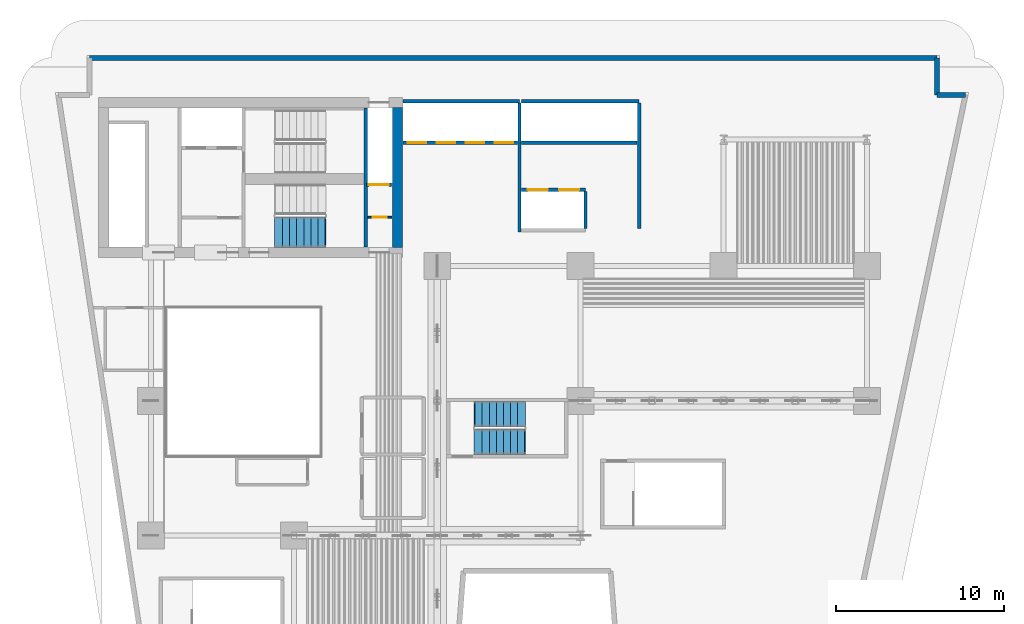
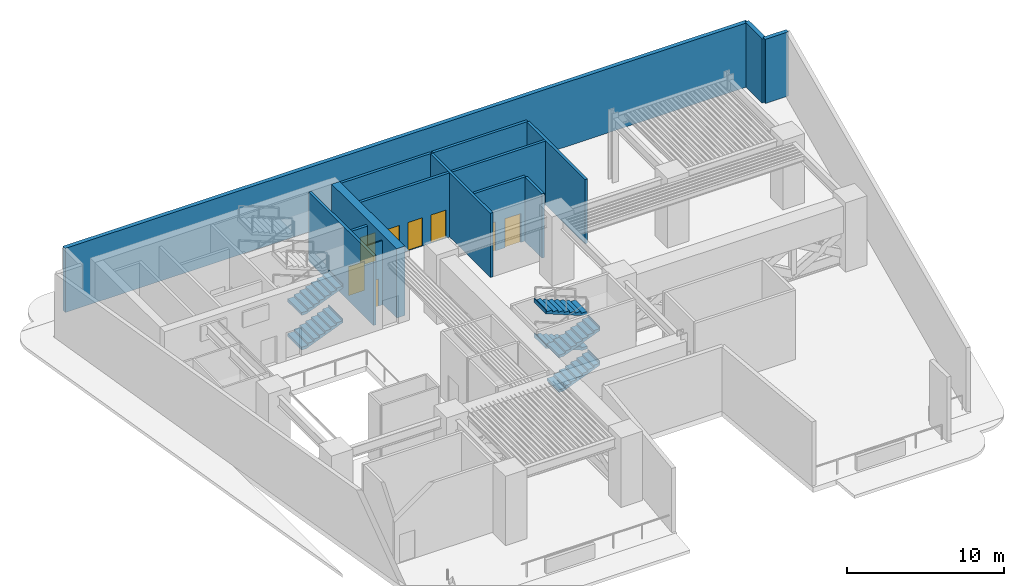
# One storey, part 5 of 9: 15 walls, 8 doors, 6 stair flights, 8 openings, 2 elements without a shape of their own.
"""IFC4 building model written with IfcOpenShell, lengths in metres."""

from ifc_helpers import new_model, si_unit, direction, frame, frame_2d, origin, place, context, subcontext, project, spatial, polyline, rectangle, outline, extrude, material, layer, layer_set, type_object, element, fill, aggregate, save


model = new_model("IFC4")

# Units and contexts
model_context = context("Model", 3, precision=1e-05, world=origin(), true_north=direction((0.0, 1.0)))
body_context = subcontext(model_context, "Body", "Model", "MODEL_VIEW")
ifc_project = project(units=[si_unit("LENGTHUNIT", "METRE"), si_unit("AREAUNIT", "SQUARE_METRE"), si_unit("VOLUMEUNIT", "CUBIC_METRE"), si_unit("PLANEANGLEUNIT", "RADIAN"), si_unit("MASSUNIT", "GRAM", prefix="KILO")], contexts=[model_context])

# Site, building, storey
site_placement = place(None, origin())
site = spatial("IfcSite", under=ifc_project, at=site_placement, CompositionType="ELEMENT")
building_placement = place(site_placement, origin())
building = spatial("IfcBuilding", under=site, at=building_placement, Name="Caeloran Harvest Quay", CompositionType="ELEMENT")
storey_placement = place(building_placement, frame((0.0, 0.0, 21.60009765625)))
storey = spatial("IfcBuildingStorey", under=building, at=storey_placement, Name="L05", CompositionType="ELEMENT", Elevation=21.60009765625)

# Walls
ifc_material_1 = material(Name="Precast concrete C50/60", Category="concrete")
ifc_layer_1 = layer(ifc_material_1, 0.300048828125, Name="Precast concrete C50/60")
ifc_layer_set_1 = layer_set([ifc_layer_1], Name="Precast concrete C50/60")
wall_type_1 = type_object("IfcWallType", Name="ENV-WALL-EW-300", PredefinedType="STANDARD", material=ifc_layer_set_1)
wall_1_placement = place(storey_placement, frame((4.85009765625, 43.35009765625, 0.0), z_axis=(0.0, 0.0, 1.0), x_axis=(1.0, 0.0, 0.0)))
element("IfcWall", 1, at=wall_1_placement, inside=storey, type_object=wall_type_1, Name="L05 Exterior Precast Concrete Facade Wall 6", PredefinedType="STANDARD", context=body_context, shape_type="SweptSolid", body=[
    extrude(rectangle(XDim=50.2998046875, YDim=0.300048828125, at=frame_2d((25.14990234375, 0.0))), origin(), (0.0, 0.0, 1.0), 5.0),
])
wall_2_placement = place(storey_placement, frame((55.14990234375, 43.35009765625, 0.0), z_axis=(0.0, 0.0, 1.0), x_axis=(0.0, -1.0, 0.0)))
element("IfcWall", 2, at=wall_2_placement, inside=storey, type_object=wall_type_1, Name="L05 Exterior Precast Concrete Facade Wall 7", PredefinedType="STANDARD", context=body_context, shape_type="SweptSolid", body=[
    extrude(rectangle(XDim=2.2001953125, YDim=0.300048828125, at=frame_2d((1.10009765625, 0.0))), origin(), (0.0, 0.0, 1.0), 5.0),
])
wall_3_placement = place(storey_placement, frame((55.14990234375, 41.14990234375, 0.0), z_axis=(0.0, 0.0, 1.0), x_axis=(1.0, 0.0, 0.0)))
element("IfcWall", 3, at=wall_3_placement, inside=storey, type_object=wall_type_1, Name="L05 Exterior Precast Concrete Facade Wall 8", PredefinedType="STANDARD", context=body_context, shape_type="SweptSolid", body=[
    extrude(rectangle(XDim=1.703125, YDim=0.300048828125, at=frame_2d((0.8515625, 0.0))), origin(), (0.0, 0.0, 1.0), 5.0),
])

# Wall, opening, door
ifc_material_2 = material(Name="Fire-Resisting Gypsum Core Riser Partition", Category="gypsum")
ifc_layer_2 = layer(ifc_material_2, 0.10009765625, Name="Fire-Resisting Gypsum Core Riser Partition")
ifc_layer_set_2 = layer_set([ifc_layer_2], Name="Fire-Resisting Gypsum Core Riser Partition")
wall_type_2 = type_object("IfcWallType", Name="INT-WALL-PW-100", PredefinedType="PARTITIONING", material=ifc_layer_set_2)
wall_4_placement = place(storey_placement, frame((21.3798828125, 33.889892578125, 0.0), z_axis=(0.0, 0.0, 1.0), x_axis=(1.0, 0.0, 0.0)))
wall_4 = element("IfcWall", 4, at=wall_4_placement, inside=storey, type_object=wall_type_2, Name="L05 Cleaner Store Partition Wall", PredefinedType="PARTITIONING", context=body_context, shape_type="SweptSolid", body=[
    extrude(rectangle(XDim=1.420166015625, YDim=0.10009765625, at=frame_2d((0.7099609375, 0.0))), origin(), (0.0, 0.0, 1.0), 5.0),
])
opening_1_placement = place(wall_4_placement, frame((0.280029296875, 0.0, 0.0)))
opening_1 = element("IfcOpeningElement", 5, at=opening_1_placement, cuts=wall_4, Name="Opening SV-01", PredefinedType="OPENING", context=body_context, shape_type="SweptSolid", body=[
    extrude(rectangle(XDim=0.85009765625, YDim=2.10009765625, at=frame_2d((0.425048828125, 1.050048828125))), frame((0.0, 0.06005859375, 0.0), z_axis=(0.0, -1.0, 0.0), x_axis=(1.0, 0.0, 0.0)), (0.0, 0.0, 1.0), 0.1201171875),
])
ifc_material_3 = material(Name="Galvanized Painted Steel", Category="steel")
door_type_1 = type_object("IfcDoorType", Name="INTDOOR-SV-01", OperationType="NOTDEFINED", PredefinedType="DOOR", material=ifc_material_3)
door_1_placement = place(opening_1_placement, origin())
door_1 = element("IfcDoor", 6, at=door_1_placement, inside=storey, type_object=door_type_1, Name="L05 Cleaner Supply Store Access Door", OperationType="SINGLE_SWING_RIGHT", OverallHeight=2.10009765625, OverallWidth=0.85009765625, PredefinedType="DOOR", context=body_context, shape_type="SweptSolid", body=[
    extrude(rectangle(XDim=0.85009765625, YDim=2.10009765625, at=frame_2d((0.425048828125, 1.050048828125))), frame((0.0, 0.02490234375, 0.0), z_axis=(0.0, -1.0, 0.0), x_axis=(1.0, 0.0, 0.0)), (0.0, 0.0, 1.0), 0.050048828125),
])
fill(opening_1, door_1)

ifc_material_4 = material(Name="Concrete C50/60", Category="concrete")
ifc_layer_3 = layer(ifc_material_4, 0.199951171875, Name="Concrete C50/60")
ifc_layer_set_3 = layer_set([ifc_layer_3], Name="Concrete C50/60")
wall_type_3 = type_object("IfcWallType", Name="INT-WALL-SW-200", PredefinedType="PARTITIONING", material=ifc_layer_set_3)
wall_5_placement = place(storey_placement, frame((21.300048828125, 35.820068359375, 0.0), z_axis=(0.0, 0.0, 1.0), x_axis=(1.0, 0.0, 0.0)))
wall_5 = element("IfcWall", 7, at=wall_5_placement, inside=storey, type_object=wall_type_3, Name="L05 Service Lift SV-2 Shaft Wall", PredefinedType="PARTITIONING", context=body_context, shape_type="SweptSolid", body=[
    extrude(rectangle(XDim=1.5, YDim=0.199951171875, at=frame_2d((0.75, 0.0))), origin(), (0.0, 0.0, 1.0), 5.0),
])
opening_2_placement = place(wall_5_placement, frame((0.14501953125, 0.0, 0.0)))
opening_2 = element("IfcOpeningElement", 8, at=opening_2_placement, cuts=wall_5, Name="Opening LD-02", PredefinedType="OPENING", context=body_context, shape_type="SweptSolid", body=[
    extrude(rectangle(XDim=1.179931640625, YDim=2.25, at=frame_2d((0.58984375, 1.125))), frame((0.0, 0.10986328125, 0.0), z_axis=(0.0, -1.0, 0.0), x_axis=(1.0, 0.0, 0.0)), (0.0, 0.0, 1.0), 0.219970703125),
])
ifc_material_5 = material(Name="Stainless Steel Grade 316", Category="steel")
door_type_2 = type_object("IfcDoorType", Name="INTDOOR-LD-02", OperationType="NOTDEFINED", PredefinedType="DOOR", material=ifc_material_5)
door_2_placement = place(opening_2_placement, origin())
door_2 = element("IfcDoor", 9, at=door_2_placement, inside=storey, type_object=door_type_2, Name="Lift SV-2 Sliding Landing Door (L05)", OperationType="DOUBLE_DOOR_SLIDING", OverallHeight=2.25, OverallWidth=1.179931640625, PredefinedType="DOOR", context=body_context, shape_type="SweptSolid", body=[
    extrude(rectangle(XDim=1.179931640625, YDim=2.25, at=frame_2d((0.58984375, 1.125))), frame((0.0, 0.02490234375, 0.0), z_axis=(0.0, -1.0, 0.0), x_axis=(1.0, 0.0, 0.0)), (0.0, 0.0, 1.0), 0.050048828125),
])
fill(opening_2, door_2)

# Walls
wall_6_placement = place(storey_placement, frame((23.469970703125, 40.780029296875, 0.0), z_axis=(0.0, 0.0, 1.0), x_axis=(1.0, 0.0, 0.0)))
element("IfcWall", 10, at=wall_6_placement, inside=storey, type_object=wall_type_3, Name="L05 Bank 1 Lift Shaft North Wall", PredefinedType="PARTITIONING", context=body_context, shape_type="SweptSolid", body=[
    extrude(rectangle(XDim=6.909912109375, YDim=0.199951171875, at=frame_2d((3.455078125, 0.0))), origin(), (0.0, 0.0, 1.0), 5.0),
])
wall_7_placement = place(storey_placement, frame((30.3798828125, 33.02001953125, 0.0), z_axis=(0.0, 0.0, 1.0), x_axis=(0.0, 1.0, 0.0)))
element("IfcWall", 11, at=wall_7_placement, inside=storey, type_object=wall_type_3, Name="L05 Bank 1 Lift Shaft East Wall", PredefinedType="PARTITIONING", context=body_context, shape_type="SweptSolid", body=[
    extrude(rectangle(XDim=7.639892578125, YDim=0.199951171875, at=frame_2d((3.81982421875, 0.0))), origin(), (0.0, 0.0, 1.0), 5.0),
])

# Wall, openings, doors
wall_8_placement = place(storey_placement, frame((23.469970703125, 38.320068359375, 0.0), z_axis=(0.0, 0.0, 1.0), x_axis=(1.0, 0.0, 0.0)))
wall_8 = element("IfcWall", 12, at=wall_8_placement, inside=storey, type_object=wall_type_3, Name="L05 Bank 1 Lift Landing Front Wall", PredefinedType="PARTITIONING", context=body_context, shape_type="SweptSolid", body=[
    extrude(rectangle(XDim=6.7900390625, YDim=0.199951171875, at=frame_2d((3.39501953125, 0.0))), origin(), (0.0, 0.0, 1.0), 5.0),
])
opening_3_placement = place(wall_8_placement, frame((0.2900390625, 0.0, 0.0)))
opening_3 = element("IfcOpeningElement", 13, at=opening_3_placement, cuts=wall_8, Name="Opening LD-01", PredefinedType="OPENING", context=body_context, shape_type="SweptSolid", body=[
    extrude(rectangle(XDim=1.10009765625, YDim=2.199951171875, at=frame_2d((0.550048828125, 1.10009765625))), frame((0.0, 0.10986328125, 0.0), z_axis=(0.0, -1.0, 0.0), x_axis=(1.0, 0.0, 0.0)), (0.0, 0.0, 1.0), 0.219970703125),
])
opening_4_placement = place(wall_8_placement, frame((2.010009765625, 0.0, 0.0)))
opening_4 = element("IfcOpeningElement", 14, at=opening_4_placement, cuts=wall_8, Name="Opening LD-01", PredefinedType="OPENING", context=body_context, shape_type="SweptSolid", body=[
    extrude(rectangle(XDim=1.10009765625, YDim=2.199951171875, at=frame_2d((0.550048828125, 1.10009765625))), frame((0.0, 0.10986328125, 0.0), z_axis=(0.0, -1.0, 0.0), x_axis=(1.0, 0.0, 0.0)), (0.0, 0.0, 1.0), 0.219970703125),
])
opening_5_placement = place(wall_8_placement, frame((3.72998046875, 0.0, 0.0)))
opening_5 = element("IfcOpeningElement", 15, at=opening_5_placement, cuts=wall_8, Name="Opening LD-01", PredefinedType="OPENING", context=body_context, shape_type="SweptSolid", body=[
    extrude(rectangle(XDim=1.10009765625, YDim=2.199951171875, at=frame_2d((0.550048828125, 1.10009765625))), frame((0.0, 0.10986328125, 0.0), z_axis=(0.0, -1.0, 0.0), x_axis=(1.0, 0.0, 0.0)), (0.0, 0.0, 1.0), 0.219970703125),
])
opening_6_placement = place(wall_8_placement, frame((5.449951171875, 0.0, 0.0)))
opening_6 = element("IfcOpeningElement", 16, at=opening_6_placement, cuts=wall_8, Name="Opening LD-01", PredefinedType="OPENING", context=body_context, shape_type="SweptSolid", body=[
    extrude(rectangle(XDim=1.10009765625, YDim=2.199951171875, at=frame_2d((0.550048828125, 1.10009765625))), frame((0.0, 0.10986328125, 0.0), z_axis=(0.0, -1.0, 0.0), x_axis=(1.0, 0.0, 0.0)), (0.0, 0.0, 1.0), 0.219970703125),
])
door_type_3 = type_object("IfcDoorType", Name="INTDOOR-LD-01", OperationType="NOTDEFINED", PredefinedType="DOOR", material=ifc_material_5)
door_3_placement = place(opening_3_placement, origin())
door_3 = element("IfcDoor", 17, at=door_3_placement, inside=storey, type_object=door_type_3, Name="Lift P1-1 Sliding Landing Door (L05)", OperationType="DOUBLE_DOOR_SLIDING", OverallHeight=2.199951171875, OverallWidth=1.10009765625, PredefinedType="DOOR", context=body_context, shape_type="SweptSolid", body=[
    extrude(rectangle(XDim=1.10009765625, YDim=2.199951171875, at=frame_2d((0.550048828125, 1.10009765625))), frame((0.0, 0.02490234375, 0.0), z_axis=(0.0, -1.0, 0.0), x_axis=(1.0, 0.0, 0.0)), (0.0, 0.0, 1.0), 0.050048828125),
])
fill(opening_3, door_3)
door_4_placement = place(opening_4_placement, origin())
door_4 = element("IfcDoor", 18, at=door_4_placement, inside=storey, type_object=door_type_3, Name="Lift P1-2 Sliding Landing Door (L05)", OperationType="DOUBLE_DOOR_SLIDING", OverallHeight=2.199951171875, OverallWidth=1.10009765625, PredefinedType="DOOR", context=body_context, shape_type="SweptSolid", body=[
    extrude(rectangle(XDim=1.10009765625, YDim=2.199951171875, at=frame_2d((0.550048828125, 1.10009765625))), frame((0.0, 0.02490234375, 0.0), z_axis=(0.0, -1.0, 0.0), x_axis=(1.0, 0.0, 0.0)), (0.0, 0.0, 1.0), 0.050048828125),
])
fill(opening_4, door_4)
door_5_placement = place(opening_5_placement, origin())
door_5 = element("IfcDoor", 19, at=door_5_placement, inside=storey, type_object=door_type_3, Name="Lift P1-3 Sliding Landing Door (L05)", OperationType="DOUBLE_DOOR_SLIDING", OverallHeight=2.199951171875, OverallWidth=1.10009765625, PredefinedType="DOOR", context=body_context, shape_type="SweptSolid", body=[
    extrude(rectangle(XDim=1.10009765625, YDim=2.199951171875, at=frame_2d((0.550048828125, 1.10009765625))), frame((0.0, 0.02490234375, 0.0), z_axis=(0.0, -1.0, 0.0), x_axis=(1.0, 0.0, 0.0)), (0.0, 0.0, 1.0), 0.050048828125),
])
fill(opening_5, door_5)
door_6_placement = place(opening_6_placement, origin())
door_6 = element("IfcDoor", 20, at=door_6_placement, inside=storey, type_object=door_type_3, Name="Lift P1-4 Sliding Landing Door (L05)", OperationType="DOUBLE_DOOR_SLIDING", OverallHeight=2.199951171875, OverallWidth=1.10009765625, PredefinedType="DOOR", context=body_context, shape_type="SweptSolid", body=[
    extrude(rectangle(XDim=1.10009765625, YDim=2.199951171875, at=frame_2d((0.550048828125, 1.10009765625))), frame((0.0, 0.02490234375, 0.0), z_axis=(0.0, -1.0, 0.0), x_axis=(1.0, 0.0, 0.0)), (0.0, 0.0, 1.0), 0.050048828125),
])
fill(opening_6, door_6)

# Walls
wall_9_placement = place(storey_placement, frame((30.5, 40.780029296875, 0.0), z_axis=(0.0, 0.0, 1.0), x_axis=(1.0, 0.0, 0.0)))
element("IfcWall", 21, at=wall_9_placement, inside=storey, type_object=wall_type_3, Name="L05 Bank 2 Lift Shaft North Wall", PredefinedType="PARTITIONING", context=body_context, shape_type="SweptSolid", body=[
    extrude(rectangle(XDim=6.97998046875, YDim=0.199951171875, at=frame_2d((3.489990234375, 0.0))), origin(), (0.0, 0.0, 1.0), 5.0),
])
wall_10_placement = place(storey_placement, frame((37.47998046875, 33.239990234375, 0.0), z_axis=(0.0, 0.0, 1.0), x_axis=(0.0, 1.0, 0.0)))
element("IfcWall", 22, at=wall_10_placement, inside=storey, type_object=wall_type_3, Name="L05 Bank 2 Lift Shaft East Wall", PredefinedType="PARTITIONING", context=body_context, shape_type="SweptSolid", body=[
    extrude(rectangle(XDim=7.419921875, YDim=0.199951171875, at=frame_2d((3.7099609375, 0.0))), origin(), (0.0, 0.0, 1.0), 5.0),
])
wall_11_placement = place(storey_placement, frame((30.5, 38.320068359375, 0.0), z_axis=(0.0, 0.0, 1.0), x_axis=(1.0, 0.0, 0.0)))
element("IfcWall", 23, at=wall_11_placement, inside=storey, type_object=wall_type_3, Name="L05 Bank 2 Lift Landing Front Wall", PredefinedType="PARTITIONING", context=body_context, shape_type="SweptSolid", body=[
    extrude(rectangle(XDim=6.860107421875, YDim=0.199951171875, at=frame_2d((3.43017578125, 0.0))), origin(), (0.0, 0.0, 1.0), 5.0),
])

# Wall, openings, doors
wall_12_placement = place(storey_placement, frame((30.5, 35.530029296875, 0.0), z_axis=(0.0, 0.0, 1.0), x_axis=(1.0, 0.0, 0.0)))
wall_12 = element("IfcWall", 24, at=wall_12_placement, inside=storey, type_object=wall_type_3, Name="L05 Shuttle Lift Landing Front Wall", PredefinedType="PARTITIONING", context=body_context, shape_type="SweptSolid", body=[
    extrude(rectangle(XDim=3.800048828125, YDim=0.199951171875, at=frame_2d((1.89990234375, 0.0))), origin(), (0.0, 0.0, 1.0), 5.0),
])
opening_7_placement = place(wall_12_placement, frame((0.385009765625, 0.0, 0.0)))
opening_7 = element("IfcOpeningElement", 25, at=opening_7_placement, cuts=wall_12, Name="Opening LD-02", PredefinedType="OPENING", context=body_context, shape_type="SweptSolid", body=[
    extrude(rectangle(XDim=1.179931640625, YDim=2.25, at=frame_2d((0.58984375, 1.125))), frame((0.0, 0.10986328125, 0.0), z_axis=(0.0, -1.0, 0.0), x_axis=(1.0, 0.0, 0.0)), (0.0, 0.0, 1.0), 0.219970703125),
])
opening_8_placement = place(wall_12_placement, frame((2.235107421875, 0.0, 0.0)))
opening_8 = element("IfcOpeningElement", 26, at=opening_8_placement, cuts=wall_12, Name="Opening LD-02", PredefinedType="OPENING", context=body_context, shape_type="SweptSolid", body=[
    extrude(rectangle(XDim=1.179931640625, YDim=2.25, at=frame_2d((0.58984375, 1.125))), frame((0.0, 0.10986328125, 0.0), z_axis=(0.0, -1.0, 0.0), x_axis=(1.0, 0.0, 0.0)), (0.0, 0.0, 1.0), 0.219970703125),
])
door_7_placement = place(opening_7_placement, origin())
door_7 = element("IfcDoor", 27, at=door_7_placement, inside=storey, type_object=door_type_2, Name="Lift SH-1 Sliding Landing Door (L05)", OperationType="DOUBLE_DOOR_SLIDING", OverallHeight=2.25, OverallWidth=1.179931640625, PredefinedType="DOOR", context=body_context, shape_type="SweptSolid", body=[
    extrude(rectangle(XDim=1.179931640625, YDim=2.25, at=frame_2d((0.58984375, 1.125))), frame((0.0, 0.02490234375, 0.0), z_axis=(0.0, -1.0, 0.0), x_axis=(1.0, 0.0, 0.0)), (0.0, 0.0, 1.0), 0.050048828125),
])
fill(opening_7, door_7)
door_8_placement = place(opening_8_placement, origin())
door_8 = element("IfcDoor", 28, at=door_8_placement, inside=storey, type_object=door_type_2, Name="Lift SH-2 Sliding Landing Door (L05)", OperationType="DOUBLE_DOOR_SLIDING", OverallHeight=2.25, OverallWidth=1.179931640625, PredefinedType="DOOR", context=body_context, shape_type="SweptSolid", body=[
    extrude(rectangle(XDim=1.179931640625, YDim=2.25, at=frame_2d((0.58984375, 1.125))), frame((0.0, 0.02490234375, 0.0), z_axis=(0.0, -1.0, 0.0), x_axis=(1.0, 0.0, 0.0)), (0.0, 0.0, 1.0), 0.050048828125),
])
fill(opening_8, door_8)

# Walls
wall_13_placement = place(storey_placement, frame((34.300048828125, 33.239990234375, 0.0), z_axis=(0.0, 0.0, 1.0), x_axis=(0.0, 1.0, 0.0)))
element("IfcWall", 29, at=wall_13_placement, inside=storey, type_object=wall_type_3, Name="L05 Shuttle Lift Shaft East Wall", PredefinedType="PARTITIONING", context=body_context, shape_type="SweptSolid", body=[
    extrude(rectangle(XDim=2.169921875, YDim=0.199951171875, at=frame_2d((1.0849609375, 0.0))), origin(), (0.0, 0.0, 1.0), 5.0),
])
ifc_material_6 = material(Name="Concrete C80/95", Category="concrete")
ifc_layer_4 = layer(ifc_material_6, 0.60009765625, Name="Concrete C80/95")
ifc_layer_set_4 = layer_set([ifc_layer_4], Name="Concrete C80/95")
wall_type_4 = type_object("IfcWallType", Name="STR-WALL-CW-600", PredefinedType="SHEAR", material=ifc_layer_set_4)
wall_14_placement = place(storey_placement, frame((23.14990234375, 32.10009765625, 0.0), z_axis=(0.0, 0.0, 1.0), x_axis=(0.0, 1.0, 0.0)))
element("IfcWall", 30, at=wall_14_placement, inside=storey, type_object=wall_type_4, Name="L05 Rear Core Shear Wall E", PredefinedType="SHEAR", context=body_context, shape_type="SweptSolid", body=[
    extrude(rectangle(XDim=8.2998046875, YDim=0.60009765625, at=frame_2d((4.14990234375, 0.0))), origin(), (0.0, 0.0, 1.0), 5.39990234375),
])
ifc_material_7 = material(Name="Concrete C60/75", Category="concrete")
ifc_layer_5 = layer(ifc_material_7, 0.199951171875, Name="Concrete C60/75")
ifc_layer_set_5 = layer_set([ifc_layer_5], Name="Concrete C60/75")
wall_type_5 = type_object("IfcWallType", Name="STR-WALL-SW-200", PredefinedType="SHEAR", material=ifc_layer_set_5)
wall_15_placement = place(storey_placement, frame((21.25, 32.1201171875, 0.0), z_axis=(0.0, 0.0, 1.0), x_axis=(0.0, 1.0, 0.0)))
element("IfcWall", 31, at=wall_15_placement, inside=storey, type_object=wall_type_5, Name="L05 Core Stair Shaft East Shear Wall", PredefinedType="SHEAR", context=body_context, shape_type="SweptSolid", body=[
    extrude(rectangle(XDim=8.259765625, YDim=0.199951171875, at=frame_2d((4.1298828125, 0.0))), origin(), (0.0, 0.0, 1.0), 5.39990234375),
])

# Stair, stair flights
stair_type_1 = type_object("IfcStairType", Name="STAIR-STC-180", PredefinedType="HALF_TURN_STAIR", material=ifc_material_4)
stair_1_placement = place(storey_placement, origin())
stair_1 = element("IfcStair", 32, at=stair_1_placement, inside=storey, type_object=stair_type_1, Name="L05 Core Pressurized Exit Stair ST-C2", PredefinedType="HALF_TURN_STAIR")
stair_flight_type_1 = type_object("IfcStairFlightType", Name="FLIGHT-STC-180", PredefinedType="STRAIGHT", material=ifc_material_4)
stair_flight_1_placement = place(storey_placement, frame((15.89990234375, 33.0, 0.0), z_axis=(0.0, 0.0, 1.0), x_axis=(1.0, 0.0, 0.0)))
stair_flight_1 = element("IfcStairFlight", 33, at=stair_flight_1_placement, type_object=stair_flight_type_1, Name="ST-C2 flight 1", NumberOfRisers=8, NumberOfTreads=7, PredefinedType="STRAIGHT", RiserHeight=0.16875, TreadLength=0.42, context=body_context, shape_type="SweptSolid", body=[
    extrude(outline(polyline([(-0.054931640625, -0.044921875), (-0.054931640625, -0.03173828125), (-0.054931640625, -0.018310546875), (-0.054931640625, -0.0048828125), (-0.054931640625, 0.008544921875), (-0.054931640625, 0.021728515625), (-0.054931640625, 0.03515625), (-0.054931640625, 0.048583984375), (-0.054931640625, 0.061767578125), (-0.054931640625, 0.0751953125), (-0.054931640625, 0.088623046875), (-0.054931640625, 0.10205078125), (-0.054931640625, 0.115234375), (-0.054931640625, 0.128662109375), (-0.054931640625, 0.14208984375), (-0.054931640625, 0.1552734375), (-0.054931640625, 0.168701171875), (0.419921875, 0.168701171875), (0.419921875, 0.33740234375), (0.840087890625, 0.33740234375), (0.840087890625, 0.50634765625), (1.260009765625, 0.50634765625), (1.260009765625, 0.675048828125), (1.679931640625, 0.675048828125), (1.679931640625, 0.84375), (2.10009765625, 0.84375), (2.10009765625, 1.012451171875), (2.52001953125, 1.012451171875), (2.52001953125, 1.18115234375), (2.93994140625, 1.18115234375), (2.93994140625, 1.35009765625), (2.9951171875, 1.35009765625), (2.9951171875, 1.329345703125), (2.9951171875, 1.30859375), (2.9951171875, 1.2880859375), (2.9951171875, 1.267333984375), (2.9951171875, 1.246826171875), (2.9951171875, 1.22607421875), (2.9951171875, 1.20556640625), (2.9951171875, 1.184814453125), (2.9951171875, 1.164306640625), (2.9951171875, 1.1435546875), (2.9951171875, 1.122802734375), (2.9951171875, 1.102294921875), (2.9951171875, 1.08154296875), (2.9951171875, 1.06103515625), (2.9951171875, 1.040283203125), (2.9951171875, 1.019775390625), (2.93994140625, 1.019775390625), (0.2900390625, -0.044921875), (-0.054931640625, -0.044921875)])), frame((0.0, 0.89990234375, 0.0), z_axis=(0.0, -1.0, 0.0), x_axis=(1.0, 0.0, 0.0)), (0.0, 0.0, 1.0), 1.800048828125),
])
stair_flight_2_placement = place(storey_placement, frame((15.89990234375, 33.0, 2.699951171875), z_axis=(0.0, 0.0, 1.0), x_axis=(1.0, 0.0, 0.0)))
stair_flight_2 = element("IfcStairFlight", 34, at=stair_flight_2_placement, type_object=stair_flight_type_1, Name="ST-C2 flight 3", NumberOfRisers=8, NumberOfTreads=7, PredefinedType="STRAIGHT", RiserHeight=0.16875, TreadLength=0.42, context=body_context, shape_type="SweptSolid", body=[
    extrude(outline(polyline([(-0.054931640625, -0.044921875), (-0.054931640625, -0.03173828125), (-0.054931640625, -0.018310546875), (-0.054931640625, -0.0048828125), (-0.054931640625, 0.008544921875), (-0.054931640625, 0.021728515625), (-0.054931640625, 0.03515625), (-0.054931640625, 0.048583984375), (-0.054931640625, 0.061767578125), (-0.054931640625, 0.0751953125), (-0.054931640625, 0.088623046875), (-0.054931640625, 0.10205078125), (-0.054931640625, 0.115234375), (-0.054931640625, 0.128662109375), (-0.054931640625, 0.14208984375), (-0.054931640625, 0.1552734375), (-0.054931640625, 0.168701171875), (0.419921875, 0.168701171875), (0.419921875, 0.33740234375), (0.840087890625, 0.33740234375), (0.840087890625, 0.50634765625), (1.260009765625, 0.50634765625), (1.260009765625, 0.675048828125), (1.679931640625, 0.675048828125), (1.679931640625, 0.84375), (2.10009765625, 0.84375), (2.10009765625, 1.012451171875), (2.52001953125, 1.012451171875), (2.52001953125, 1.18115234375), (2.93994140625, 1.18115234375), (2.93994140625, 1.35009765625), (2.9951171875, 1.35009765625), (2.9951171875, 1.329345703125), (2.9951171875, 1.30859375), (2.9951171875, 1.2880859375), (2.9951171875, 1.267333984375), (2.9951171875, 1.246826171875), (2.9951171875, 1.22607421875), (2.9951171875, 1.20556640625), (2.9951171875, 1.184814453125), (2.9951171875, 1.164306640625), (2.9951171875, 1.1435546875), (2.9951171875, 1.122802734375), (2.9951171875, 1.102294921875), (2.9951171875, 1.08154296875), (2.9951171875, 1.06103515625), (2.9951171875, 1.040283203125), (2.9951171875, 1.019775390625), (2.93994140625, 1.019775390625), (0.2900390625, -0.044921875), (-0.054931640625, -0.044921875)])), frame((0.0, 0.89990234375, 0.0), z_axis=(0.0, -1.0, 0.0), x_axis=(1.0, 0.0, 0.0)), (0.0, 0.0, 1.0), 1.800048828125),
])
aggregate(stair_1, [stair_flight_1, stair_flight_2])

stair_type_2 = type_object("IfcStairType", Name="STAIR-STW-150", PredefinedType="HALF_TURN_STAIR", material=ifc_material_4)
stair_2_placement = place(storey_placement, origin())
stair_2 = element("IfcStair", 35, at=stair_2_placement, inside=storey, type_object=stair_type_2, Name="L05 East Wing Protected Exit Stair ST-W1", PredefinedType="HALF_TURN_STAIR")
stair_flight_type_2 = type_object("IfcStairFlightType", Name="FLIGHT-STW-150", PredefinedType="STRAIGHT", material=ifc_material_4)
stair_flight_3_placement = place(storey_placement, frame((27.75, 20.550048828125, 0.0), z_axis=(0.0, 0.0, 1.0), x_axis=(1.0, 0.0, 0.0)))
stair_flight_3 = element("IfcStairFlight", 36, at=stair_flight_3_placement, type_object=stair_flight_type_2, Name="ST-W1 flight 1", NumberOfRisers=8, NumberOfTreads=7, PredefinedType="STRAIGHT", RiserHeight=0.16875, TreadLength=0.42, context=body_context, shape_type="SweptSolid", body=[
    extrude(outline(polyline([(-0.054931640625, -0.044921875), (-0.054931640625, -0.03173828125), (-0.054931640625, -0.018310546875), (-0.054931640625, -0.0048828125), (-0.054931640625, 0.008544921875), (-0.054931640625, 0.021728515625), (-0.054931640625, 0.03515625), (-0.054931640625, 0.048583984375), (-0.054931640625, 0.061767578125), (-0.054931640625, 0.0751953125), (-0.054931640625, 0.088623046875), (-0.054931640625, 0.10205078125), (-0.054931640625, 0.115234375), (-0.054931640625, 0.128662109375), (-0.054931640625, 0.14208984375), (-0.054931640625, 0.1552734375), (-0.054931640625, 0.168701171875), (0.419921875, 0.168701171875), (0.419921875, 0.33740234375), (0.840087890625, 0.33740234375), (0.840087890625, 0.50634765625), (1.260009765625, 0.50634765625), (1.260009765625, 0.675048828125), (1.679931640625, 0.675048828125), (1.679931640625, 0.84375), (2.10009765625, 0.84375), (2.10009765625, 1.012451171875), (2.52001953125, 1.012451171875), (2.52001953125, 1.18115234375), (2.93994140625, 1.18115234375), (2.93994140625, 1.35009765625), (2.9951171875, 1.35009765625), (2.9951171875, 1.329345703125), (2.9951171875, 1.30859375), (2.9951171875, 1.2880859375), (2.9951171875, 1.267333984375), (2.9951171875, 1.246826171875), (2.9951171875, 1.22607421875), (2.9951171875, 1.20556640625), (2.9951171875, 1.184814453125), (2.9951171875, 1.164306640625), (2.9951171875, 1.1435546875), (2.9951171875, 1.122802734375), (2.9951171875, 1.102294921875), (2.9951171875, 1.08154296875), (2.9951171875, 1.06103515625), (2.9951171875, 1.040283203125), (2.9951171875, 1.019775390625), (2.93994140625, 1.019775390625), (0.2900390625, -0.044921875), (-0.054931640625, -0.044921875)])), frame((0.0, 0.75, 0.0), z_axis=(0.0, -1.0, 0.0), x_axis=(1.0, 0.0, 0.0)), (0.0, 0.0, 1.0), 1.5),
])
stair_flight_4_placement = place(storey_placement, frame((30.68994140625, 22.199951171875, 1.349853515625), z_axis=(0.0, 0.0, 1.0), x_axis=(-1.0, 0.0, 0.0)))
stair_flight_4 = element("IfcStairFlight", 37, at=stair_flight_4_placement, type_object=stair_flight_type_2, Name="ST-W1 flight 2", NumberOfRisers=8, NumberOfTreads=7, PredefinedType="STRAIGHT", RiserHeight=0.16875, TreadLength=0.42, context=body_context, shape_type="SweptSolid", body=[
    extrude(outline(polyline([(-0.054931640625, -0.044921875), (-0.054931640625, -0.03173828125), (-0.054931640625, -0.018310546875), (-0.054931640625, -0.0048828125), (-0.054931640625, 0.008544921875), (-0.054931640625, 0.021728515625), (-0.054931640625, 0.03515625), (-0.054931640625, 0.048583984375), (-0.054931640625, 0.061767578125), (-0.054931640625, 0.0751953125), (-0.054931640625, 0.088623046875), (-0.054931640625, 0.10205078125), (-0.054931640625, 0.115234375), (-0.054931640625, 0.128662109375), (-0.054931640625, 0.14208984375), (-0.054931640625, 0.1552734375), (-0.054931640625, 0.168701171875), (0.419921875, 0.168701171875), (0.419921875, 0.33740234375), (0.840087890625, 0.33740234375), (0.840087890625, 0.50634765625), (1.260009765625, 0.50634765625), (1.260009765625, 0.675048828125), (1.679931640625, 0.675048828125), (1.679931640625, 0.84375), (2.10009765625, 0.84375), (2.10009765625, 1.012451171875), (2.52001953125, 1.012451171875), (2.52001953125, 1.18115234375), (2.93994140625, 1.18115234375), (2.93994140625, 1.35009765625), (2.9951171875, 1.35009765625), (2.9951171875, 1.329345703125), (2.9951171875, 1.30859375), (2.9951171875, 1.2880859375), (2.9951171875, 1.267333984375), (2.9951171875, 1.246826171875), (2.9951171875, 1.22607421875), (2.9951171875, 1.20556640625), (2.9951171875, 1.184814453125), (2.9951171875, 1.164306640625), (2.9951171875, 1.1435546875), (2.9951171875, 1.122802734375), (2.9951171875, 1.102294921875), (2.9951171875, 1.08154296875), (2.9951171875, 1.06103515625), (2.9951171875, 1.040283203125), (2.9951171875, 1.019775390625), (2.93994140625, 1.019775390625), (0.2900390625, -0.044921875), (-0.054931640625, -0.044921875)])), frame((0.0, 0.75, 0.0), z_axis=(0.0, -1.0, 0.0), x_axis=(1.0, 0.0, 0.0)), (0.0, 0.0, 1.0), 1.5),
])
stair_flight_5_placement = place(storey_placement, frame((27.75, 20.550048828125, 2.699951171875), z_axis=(0.0, 0.0, 1.0), x_axis=(1.0, 0.0, 0.0)))
stair_flight_5 = element("IfcStairFlight", 38, at=stair_flight_5_placement, type_object=stair_flight_type_2, Name="ST-W1 flight 3", NumberOfRisers=8, NumberOfTreads=7, PredefinedType="STRAIGHT", RiserHeight=0.16875, TreadLength=0.42, context=body_context, shape_type="SweptSolid", body=[
    extrude(outline(polyline([(-0.054931640625, -0.044921875), (-0.054931640625, -0.03173828125), (-0.054931640625, -0.018310546875), (-0.054931640625, -0.0048828125), (-0.054931640625, 0.008544921875), (-0.054931640625, 0.021728515625), (-0.054931640625, 0.03515625), (-0.054931640625, 0.048583984375), (-0.054931640625, 0.061767578125), (-0.054931640625, 0.0751953125), (-0.054931640625, 0.088623046875), (-0.054931640625, 0.10205078125), (-0.054931640625, 0.115234375), (-0.054931640625, 0.128662109375), (-0.054931640625, 0.14208984375), (-0.054931640625, 0.1552734375), (-0.054931640625, 0.168701171875), (0.419921875, 0.168701171875), (0.419921875, 0.33740234375), (0.840087890625, 0.33740234375), (0.840087890625, 0.50634765625), (1.260009765625, 0.50634765625), (1.260009765625, 0.675048828125), (1.679931640625, 0.675048828125), (1.679931640625, 0.84375), (2.10009765625, 0.84375), (2.10009765625, 1.012451171875), (2.52001953125, 1.012451171875), (2.52001953125, 1.18115234375), (2.93994140625, 1.18115234375), (2.93994140625, 1.35009765625), (2.9951171875, 1.35009765625), (2.9951171875, 1.329345703125), (2.9951171875, 1.30859375), (2.9951171875, 1.2880859375), (2.9951171875, 1.267333984375), (2.9951171875, 1.246826171875), (2.9951171875, 1.22607421875), (2.9951171875, 1.20556640625), (2.9951171875, 1.184814453125), (2.9951171875, 1.164306640625), (2.9951171875, 1.1435546875), (2.9951171875, 1.122802734375), (2.9951171875, 1.102294921875), (2.9951171875, 1.08154296875), (2.9951171875, 1.06103515625), (2.9951171875, 1.040283203125), (2.9951171875, 1.019775390625), (2.93994140625, 1.019775390625), (0.2900390625, -0.044921875), (-0.054931640625, -0.044921875)])), frame((0.0, 0.75, 0.0), z_axis=(0.0, -1.0, 0.0), x_axis=(1.0, 0.0, 0.0)), (0.0, 0.0, 1.0), 1.5),
])
stair_flight_6_placement = place(storey_placement, frame((30.68994140625, 22.199951171875, 4.0498046875), z_axis=(0.0, 0.0, 1.0), x_axis=(-1.0, 0.0, 0.0)))
stair_flight_6 = element("IfcStairFlight", 39, at=stair_flight_6_placement, type_object=stair_flight_type_2, Name="ST-W1 flight 4", NumberOfRisers=8, NumberOfTreads=7, PredefinedType="STRAIGHT", RiserHeight=0.16875, TreadLength=0.42, context=body_context, shape_type="SweptSolid", body=[
    extrude(outline(polyline([(-0.054931640625, -0.044921875), (-0.054931640625, -0.03173828125), (-0.054931640625, -0.018310546875), (-0.054931640625, -0.0048828125), (-0.054931640625, 0.008544921875), (-0.054931640625, 0.021728515625), (-0.054931640625, 0.03515625), (-0.054931640625, 0.048583984375), (-0.054931640625, 0.061767578125), (-0.054931640625, 0.0751953125), (-0.054931640625, 0.088623046875), (-0.054931640625, 0.10205078125), (-0.054931640625, 0.115234375), (-0.054931640625, 0.128662109375), (-0.054931640625, 0.14208984375), (-0.054931640625, 0.1552734375), (-0.054931640625, 0.168701171875), (0.419921875, 0.168701171875), (0.419921875, 0.33740234375), (0.840087890625, 0.33740234375), (0.840087890625, 0.50634765625), (1.260009765625, 0.50634765625), (1.260009765625, 0.675048828125), (1.679931640625, 0.675048828125), (1.679931640625, 0.84375), (2.10009765625, 0.84375), (2.10009765625, 1.012451171875), (2.52001953125, 1.012451171875), (2.52001953125, 1.18115234375), (2.93994140625, 1.18115234375), (2.93994140625, 1.35009765625), (2.9951171875, 1.35009765625), (2.9951171875, 1.329345703125), (2.9951171875, 1.30859375), (2.9951171875, 1.2880859375), (2.9951171875, 1.267333984375), (2.9951171875, 1.246826171875), (2.9951171875, 1.22607421875), (2.9951171875, 1.20556640625), (2.9951171875, 1.184814453125), (2.9951171875, 1.164306640625), (2.9951171875, 1.1435546875), (2.9951171875, 1.122802734375), (2.9951171875, 1.102294921875), (2.9951171875, 1.08154296875), (2.9951171875, 1.06103515625), (2.9951171875, 1.040283203125), (2.9951171875, 1.019775390625), (2.93994140625, 1.019775390625), (0.2900390625, -0.044921875), (-0.054931640625, -0.044921875)])), frame((0.0, 0.75, 0.0), z_axis=(0.0, -1.0, 0.0), x_axis=(1.0, 0.0, 0.0)), (0.0, 0.0, 1.0), 1.5),
])
aggregate(stair_2, [stair_flight_3, stair_flight_4, stair_flight_5, stair_flight_6])

save(model, "model.ifc")
